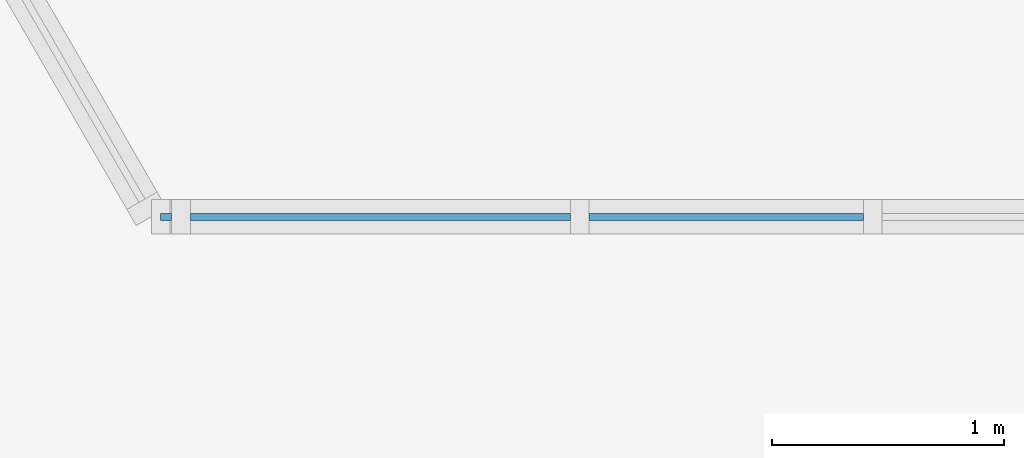
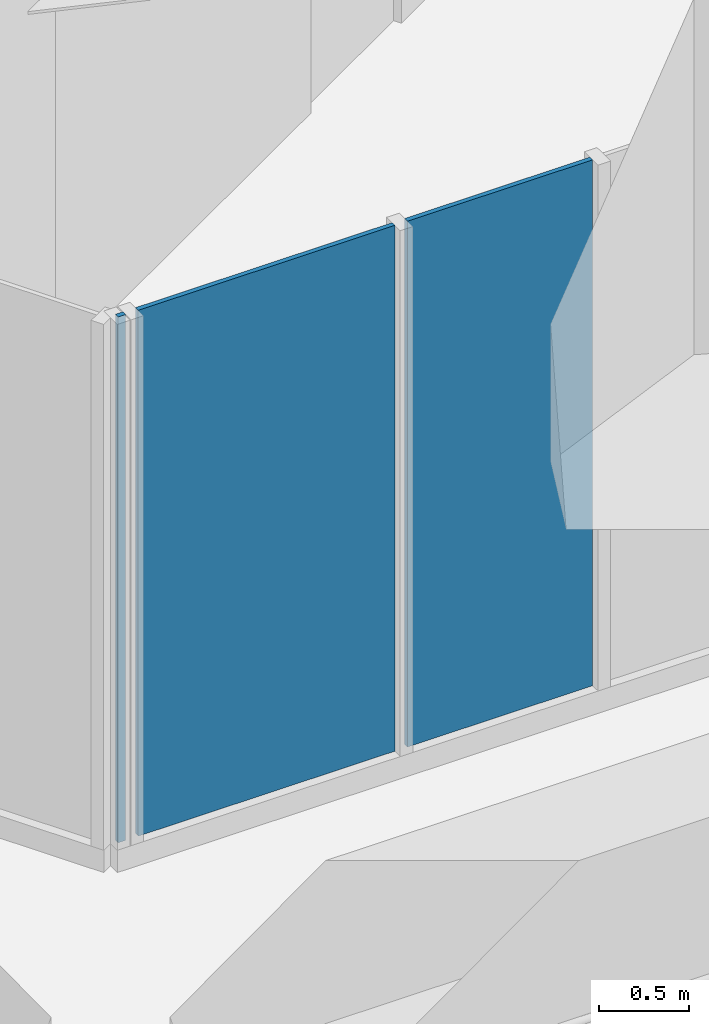
# One storey, part 14 of 32: 3 plates, 1 element without a shape of its own.
"""IFC4 building model written with IfcOpenShell, lengths in metres."""

from ifc_helpers import new_model, si_unit, direction, frame, origin, place, context, subcontext, project, spatial, polyline, outline, extrude, material, layer, layer_set, type_object, element, aggregate, save


model = new_model("IFC4")

# Units and contexts
model_context = context("Model", 3, precision=1e-05, world=origin(), true_north=direction((0.0, 1.0)))
body_context = subcontext(model_context, "Body", "Model", "MODEL_VIEW")
ifc_project = project(units=[si_unit("LENGTHUNIT", "METRE"), si_unit("AREAUNIT", "SQUARE_METRE"), si_unit("VOLUMEUNIT", "CUBIC_METRE"), si_unit("PLANEANGLEUNIT", "RADIAN"), si_unit("MASSUNIT", "GRAM", prefix="KILO")], contexts=[model_context])

# Site, building, storey
site_placement = place(None, origin())
site = spatial("IfcSite", under=ifc_project, at=site_placement, CompositionType="ELEMENT")
building_placement = place(site_placement, origin())
building = spatial("IfcBuilding", under=site, at=building_placement, Name="Firuza Gate Tower and Library", CompositionType="ELEMENT")
storey_placement = place(building_placement, frame((0.0, 0.0, 163.60009765625)))
storey = spatial("IfcBuildingStorey", under=building, at=storey_placement, Name="L37", CompositionType="ELEMENT", Elevation=163.60009765625)

# Curtain wall, plates
ifc_material_1 = material(Name="Aluminium 6063-T6", Category="aluminium")
ifc_layer_1 = layer(ifc_material_1, 0.14990234375)
ifc_layer_set_1 = layer_set([ifc_layer_1], Name="Unitised curtain wall, hotel")
curtain_wall_type = type_object("IfcCurtainWallType", Name="Unitised curtain wall, hotel", PredefinedType="NOTDEFINED", material=ifc_layer_set_1)
curtain_wall_placement = place(storey_placement, origin())
curtain_wall = element("IfcCurtainWall", 1, at=curtain_wall_placement, inside=storey, type_object=curtain_wall_type, Name="CW2 L37 S face", PredefinedType="NOTDEFINED")
ifc_material_2 = material(Name="Fritted glass", Category="glass")
ifc_layer_2 = layer(ifc_material_2, 0.030029296875)
ifc_layer_set_2 = layer_set([ifc_layer_2], Name="Fritted glass unit, hotel")
plate_type_1 = type_object("IfcPlateType", Name="Fritted glass unit, hotel", PredefinedType="CURTAIN_PANEL", material=ifc_layer_set_2)
plate_1_placement = place(storey_placement, frame((47.962890625, 55.071044921875, 0.14990234375), z_axis=(0.0, -1.0, 0.0), x_axis=(1.0, 0.0, 0.0)))
plate_1 = element("IfcPlate", 2, at=plate_1_placement, type_object=plate_type_1, Name="Glass unit", PredefinedType="CURTAIN_PANEL", context=body_context, shape_type="SweptSolid", body=[
    extrude(outline(polyline([(0.0, 0.0), (1.638671875, 0.0), (1.638671875, 3.550048828125), (0.0, 3.550048828125), (0.0, 0.0)])), origin(), (0.0, 0.0, -1.0), 0.030029296875),
])
ifc_material_3 = material(Name="Glazed ceramic tile")
ifc_layer_3 = layer(ifc_material_3, 0.030029296875)
ifc_layer_set_3 = layer_set([ifc_layer_3], Name="Opaque ceramic panel, hotel")
plate_type_2 = type_object("IfcPlateType", Name="Opaque ceramic panel, hotel", PredefinedType="CURTAIN_PANEL", material=ifc_layer_set_3)
plate_2_placement = place(storey_placement, frame((47.834716796875, 55.071044921875, 0.14990234375), z_axis=(0.0, -1.0, 0.0), x_axis=(1.0, 0.0, 0.0)))
plate_2 = element("IfcPlate", 3, at=plate_2_placement, type_object=plate_type_2, Name="Opaque ceramic panel", PredefinedType="CURTAIN_PANEL", context=body_context, shape_type="SweptSolid", body=[
    extrude(outline(polyline([(0.0, 0.0), (0.048095703125, 0.0), (0.048095703125, 3.550048828125), (0.0, 3.550048828125), (0.0, 0.0)])), origin(), (0.0, 0.0, -1.0), 0.030029296875),
])
plate_3_placement = place(storey_placement, frame((49.681396484375, 55.071044921875, 0.14990234375), z_axis=(0.0, -1.0, 0.0), x_axis=(1.0, 0.0, 0.0)))
plate_3 = element("IfcPlate", 4, at=plate_3_placement, type_object=plate_type_2, Name="Opaque ceramic panel", PredefinedType="CURTAIN_PANEL", context=body_context, shape_type="SweptSolid", body=[
    extrude(outline(polyline([(0.0, 0.0), (1.183349609375, 0.0), (1.183349609375, 3.550048828125), (0.0, 3.550048828125), (0.0, 0.0)])), origin(), (0.0, 0.0, -1.0), 0.030029296875),
])
aggregate(curtain_wall, [plate_2, plate_1, plate_3])

save(model, "model.ifc")
